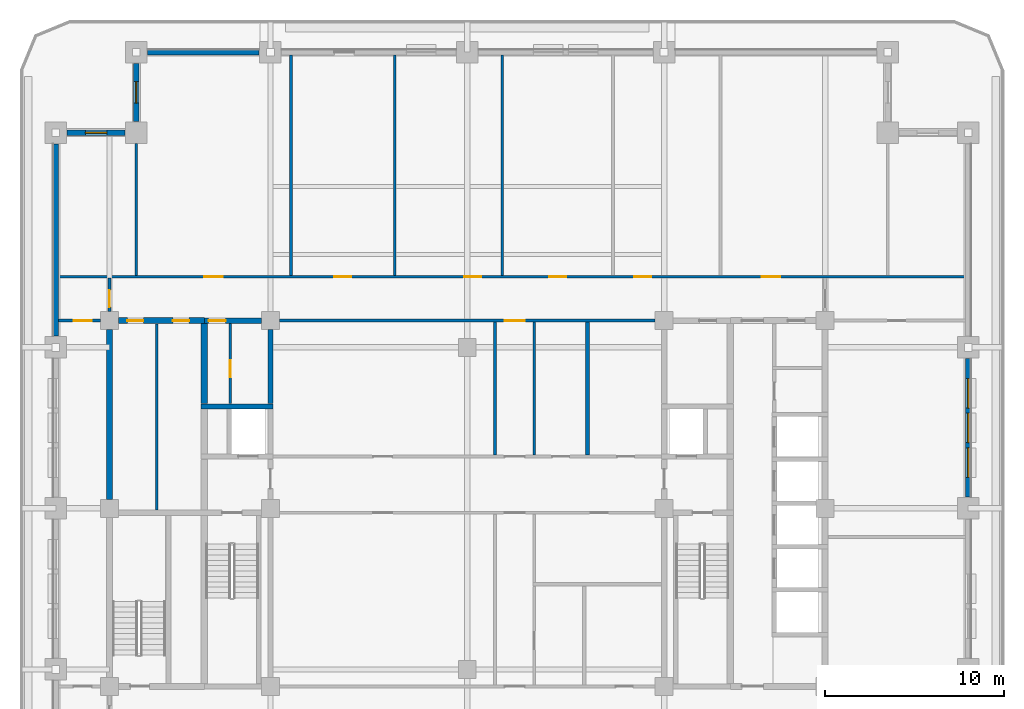
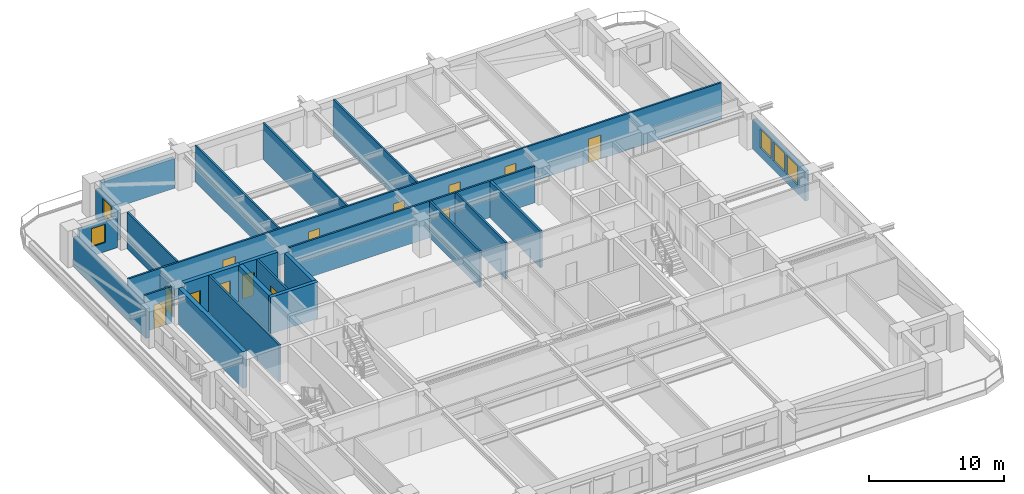
# One storey, part 5 of 14: 24 walls, 13 doors, 5 windows, 18 openings.
"""IFC4 building model written with IfcOpenShell, lengths in metres."""

from ifc_helpers import new_model, si_unit, direction, frame, frame_2d, origin, place, context, subcontext, project, spatial, rectangle, extrude, material, layer, layer_set, type_object, element, fill, save


model = new_model("IFC4")

# Units and contexts
model_context = context("Model", 3, precision=1e-05, world=origin(), true_north=direction((0.0, 1.0)))
body_context = subcontext(model_context, "Body", "Model", "MODEL_VIEW")
ifc_project = project(units=[si_unit("LENGTHUNIT", "METRE"), si_unit("AREAUNIT", "SQUARE_METRE"), si_unit("VOLUMEUNIT", "CUBIC_METRE"), si_unit("PLANEANGLEUNIT", "RADIAN"), si_unit("MASSUNIT", "GRAM", prefix="KILO")], contexts=[model_context])

# Site, building, storey
site_placement = place(None, origin())
site = spatial("IfcSite", under=ifc_project, at=site_placement, CompositionType="ELEMENT")
building_placement = place(site_placement, origin())
building = spatial("IfcBuilding", under=site, at=building_placement, Name="Zulmaris Gate Convention Tower", CompositionType="ELEMENT")
storey_placement = place(building_placement, frame((0.0, 0.0, 94.929931640625)))
storey = spatial("IfcBuildingStorey", under=building, at=storey_placement, Name="L23", CompositionType="ELEMENT", Elevation=94.929931640625)

# Wall
ifc_material_1 = material(Name="Concrete C50/60", Category="concrete")
ifc_layer_1 = layer(ifc_material_1, 0.300048828125, Name="Concrete C50/60")
ifc_layer_set_1 = layer_set([ifc_layer_1], Name="Concrete C50/60")
wall_type_1 = type_object("IfcWallType", Name="CORE-300", PredefinedType="SHEAR", material=ifc_layer_set_1)
wall_1_placement = place(storey_placement, frame((-14.875, 5.699951171875, 0.0), z_axis=(0.0, 0.0, 1.0), x_axis=(1.0, 0.0, 0.0)))
element("IfcWall", 1, at=wall_1_placement, inside=storey, type_object=wall_type_1, Name="WL-L23-015", PredefinedType="SHEAR", context=body_context, shape_type="SweptSolid", body=[
    extrude(rectangle(XDim=4.02490234375, YDim=0.300048828125, at=frame_2d((2.012451171875, 0.0))), origin(), (0.0, 0.0, 1.0), 3.295166015625),
])

# Wall, opening, door
wall_2_placement = place(storey_placement, frame((-14.699951171875, 10.5, 0.0), z_axis=(0.0, 0.0, 1.0), x_axis=(1.0, 0.0, 0.0)))
wall_2 = element("IfcWall", 2, at=wall_2_placement, inside=storey, type_object=wall_type_1, Name="WL-L23-018", PredefinedType="SHEAR", context=body_context, shape_type="SweptSolid", body=[
    extrude(rectangle(XDim=3.196044921875, YDim=0.300048828125, at=frame_2d((1.59814453125, 0.0))), origin(), (0.0, 0.0, 1.0), 3.295166015625),
])
opening_1_placement = place(wall_2_placement, frame((0.2451171875, 0.0, 0.0)))
opening_1 = element("IfcOpeningElement", 3, at=opening_1_placement, cuts=wall_2, Name="Opening D-11", PredefinedType="OPENING", context=body_context, shape_type="SweptSolid", body=[
    extrude(rectangle(XDim=0.949951171875, YDim=2.14990234375, at=frame_2d((0.47509765625, 1.074951171875))), frame((0.0, 0.16015625, 0.0), z_axis=(0.0, -1.0, 0.0), x_axis=(1.0, 0.0, 0.0)), (0.0, 0.0, 1.0), 0.320068359375),
])
ifc_material_2 = material(Name="Fire-Rated Timber", Category="wood")
door_type_1 = type_object("IfcDoorType", Name="DR-950-FD", OperationType="NOTDEFINED", PredefinedType="DOOR", material=ifc_material_2)
door_1_placement = place(opening_1_placement, origin())
door_1 = element("IfcDoor", 4, at=door_1_placement, inside=storey, type_object=door_type_1, Name="L23 Core Mail Room Door 07", OperationType="SINGLE_SWING_RIGHT", OverallHeight=2.14990234375, OverallWidth=0.949951171875, PredefinedType="DOOR", context=body_context, shape_type="SweptSolid", body=[
    extrude(rectangle(XDim=0.949951171875, YDim=2.14990234375, at=frame_2d((0.47509765625, 1.074951171875))), frame((0.0, 0.02490234375, 0.0), z_axis=(0.0, -1.0, 0.0), x_axis=(1.0, 0.0, 0.0)), (0.0, 0.0, 1.0), 0.050048828125),
])
fill(opening_1, door_1)

# Wall
wall_3_placement = place(storey_placement, frame((-11.0, 5.85205078125, 0.0), z_axis=(0.0, 0.0, 1.0), x_axis=(0.0, 1.0, 0.0)))
element("IfcWall", 5, at=wall_3_placement, inside=storey, type_object=wall_type_1, Name="WL-L23-046", PredefinedType="SHEAR", context=body_context, shape_type="SweptSolid", body=[
    extrude(rectangle(XDim=4.14404296875, YDim=0.300048828125, at=frame_2d((2.072021484375, 0.0))), origin(), (0.0, 0.0, 1.0), 3.295166015625),
])

# Wall, openings, doors
ifc_material_3 = material(Name="Concrete C55/67", Category="concrete")
ifc_layer_2 = layer(ifc_material_3, 0.35009765625, Name="Concrete C55/67")
ifc_layer_set_2 = layer_set([ifc_layer_2], Name="Concrete C55/67")
wall_type_2 = type_object("IfcWallType", Name="CORE-350", PredefinedType="SHEAR", material=ifc_layer_set_2)
wall_4_placement = place(storey_placement, frame((-19.49609375, 10.5, 0.0), z_axis=(0.0, 0.0, 1.0), x_axis=(1.0, 0.0, 0.0)))
wall_4 = element("IfcWall", 6, at=wall_4_placement, inside=storey, type_object=wall_type_2, Name="WL-L23-017", PredefinedType="SHEAR", context=body_context, shape_type="SweptSolid", body=[
    extrude(rectangle(XDim=4.796142578125, YDim=0.35009765625, at=frame_2d((2.39794921875, 0.0))), origin(), (0.0, 0.0, 1.0), 3.295166015625),
])
opening_2_placement = place(wall_4_placement, frame((0.49609375, 0.0, 0.0)))
opening_2 = element("IfcOpeningElement", 7, at=opening_2_placement, cuts=wall_4, Name="Opening D-12", PredefinedType="OPENING", context=body_context, shape_type="SweptSolid", body=[
    extrude(rectangle(XDim=0.89990234375, YDim=2.14990234375, at=frame_2d((0.449951171875, 1.074951171875))), frame((0.0, 0.18505859375, 0.0), z_axis=(0.0, -1.0, 0.0), x_axis=(1.0, 0.0, 0.0)), (0.0, 0.0, 1.0), 0.3701171875),
])
opening_3_placement = place(wall_4_placement, frame((3.0458984375, 0.0, 0.0)))
opening_3 = element("IfcOpeningElement", 8, at=opening_3_placement, cuts=wall_4, Name="Opening D-12", PredefinedType="OPENING", context=body_context, shape_type="SweptSolid", body=[
    extrude(rectangle(XDim=0.89990234375, YDim=2.14990234375, at=frame_2d((0.449951171875, 1.074951171875))), frame((0.0, 0.18505859375, 0.0), z_axis=(0.0, -1.0, 0.0), x_axis=(1.0, 0.0, 0.0)), (0.0, 0.0, 1.0), 0.3701171875),
])
door_type_2 = type_object("IfcDoorType", Name="DR-900-FD", OperationType="NOTDEFINED", PredefinedType="DOOR", material=ifc_material_2)
door_2_placement = place(opening_2_placement, origin())
door_2 = element("IfcDoor", 9, at=door_2_placement, inside=storey, type_object=door_type_2, Name="L23 Server Room Door 11", OperationType="SINGLE_SWING_RIGHT", OverallHeight=2.14990234375, OverallWidth=0.89990234375, PredefinedType="DOOR", context=body_context, shape_type="SweptSolid", body=[
    extrude(rectangle(XDim=0.89990234375, YDim=2.14990234375, at=frame_2d((0.449951171875, 1.074951171875))), frame((0.0, 0.02490234375, 0.0), z_axis=(0.0, -1.0, 0.0), x_axis=(1.0, 0.0, 0.0)), (0.0, 0.0, 1.0), 0.050048828125),
])
fill(opening_2, door_2)
door_3_placement = place(opening_3_placement, origin())
door_3 = element("IfcDoor", 10, at=door_3_placement, inside=storey, type_object=door_type_2, Name="L23 Reclaimed Pantry Door 12", OperationType="SINGLE_SWING_LEFT", OverallHeight=2.14990234375, OverallWidth=0.89990234375, PredefinedType="DOOR", context=body_context, shape_type="SweptSolid", body=[
    extrude(rectangle(XDim=0.89990234375, YDim=2.14990234375, at=frame_2d((0.449951171875, 1.074951171875))), frame((0.0, 0.02490234375, 0.0), z_axis=(0.0, -1.0, 0.0), x_axis=(1.0, 0.0, 0.0)), (0.0, 0.0, 1.0), 0.050048828125),
])
fill(opening_3, door_3)

# Walls
wall_5_placement = place(storey_placement, frame((-20.0, 0.50390625, 0.0), z_axis=(0.0, 0.0, 1.0), x_axis=(0.0, 1.0, 0.0)))
element("IfcWall", 11, at=wall_5_placement, inside=storey, type_object=wall_type_2, Name="WL-L23-035", PredefinedType="SHEAR", context=body_context, shape_type="SweptSolid", body=[
    extrude(rectangle(XDim=9.4921875, YDim=0.35009765625, at=frame_2d((4.74609375, 0.0))), origin(), (0.0, 0.0, 1.0), 3.295166015625),
])
wall_6_placement = place(storey_placement, frame((-14.699951171875, 5.85205078125, 0.0), z_axis=(0.0, 0.0, 1.0), x_axis=(0.0, 1.0, 0.0)))
element("IfcWall", 12, at=wall_6_placement, inside=storey, type_object=wall_type_2, Name="WL-L23-040", PredefinedType="SHEAR", context=body_context, shape_type="SweptSolid", body=[
    extrude(rectangle(XDim=4.470947265625, YDim=0.35009765625, at=frame_2d((2.2353515625, 0.0))), origin(), (0.0, 0.0, 1.0), 3.295166015625),
])

# Wall, opening, door
ifc_material_4 = material(Name="Gypsum Metal Stud Partition")
ifc_layer_3 = layer(ifc_material_4, 0.14990234375, Name="Gypsum Metal Stud Partition")
ifc_layer_set_3 = layer_set([ifc_layer_3], Name="Gypsum Metal Stud Partition")
wall_type_3 = type_object("IfcWallType", Name="PART-150", PredefinedType="PARTITIONING", material=ifc_layer_set_3)
wall_7_placement = place(storey_placement, frame((-22.8349609375, 10.5, 0.0), z_axis=(0.0, 0.0, 1.0), x_axis=(1.0, 0.0, 0.0)))
wall_7 = element("IfcWall", 13, at=wall_7_placement, inside=storey, type_object=wall_type_3, Name="WL-L23-030", PredefinedType="PARTITIONING", context=body_context, shape_type="SweptSolid", body=[
    extrude(rectangle(XDim=2.328857421875, YDim=0.14990234375, at=frame_2d((1.16455078125, 0.0))), origin(), (0.0, 0.0, 1.0), 3.295166015625),
])
opening_4_placement = place(wall_7_placement, frame((0.8349609375, 0.0, 0.0)))
opening_4 = element("IfcOpeningElement", 14, at=opening_4_placement, cuts=wall_7, Name="Opening D-10", PredefinedType="OPENING", context=body_context, shape_type="SweptSolid", body=[
    extrude(rectangle(XDim=1.0, YDim=2.14990234375, at=frame_2d((0.5, 1.074951171875))), frame((0.0, 0.0849609375, 0.0), z_axis=(0.0, -1.0, 0.0), x_axis=(1.0, 0.0, 0.0)), (0.0, 0.0, 1.0), 0.169921875),
])
door_type_3 = type_object("IfcDoorType", Name="DR-1000-FD", OperationType="NOTDEFINED", PredefinedType="DOOR", material=ifc_material_2)
door_4_placement = place(opening_4_placement, origin())
door_4 = element("IfcDoor", 15, at=door_4_placement, inside=storey, type_object=door_type_3, Name="L23 West Workplace North Door 43", OperationType="SINGLE_SWING_RIGHT", OverallHeight=2.14990234375, OverallWidth=1.0, PredefinedType="DOOR", context=body_context, shape_type="SweptSolid", body=[
    extrude(rectangle(XDim=1.0, YDim=2.14990234375, at=frame_2d((0.5, 1.074951171875))), frame((0.0, 0.02490234375, 0.0), z_axis=(0.0, -1.0, 0.0), x_axis=(1.0, 0.0, 0.0)), (0.0, 0.0, 1.0), 0.050048828125),
])
fill(opening_4, door_4)

wall_8_placement = place(storey_placement, frame((-10.493896484375, 10.5, 0.0), z_axis=(0.0, 0.0, 1.0), x_axis=(1.0, 0.0, 0.0)))
wall_8 = element("IfcWall", 16, at=wall_8_placement, inside=storey, type_object=wall_type_3, Name="WL-L23-031", PredefinedType="PARTITIONING", context=body_context, shape_type="SweptSolid", body=[
    extrude(rectangle(XDim=20.98779296875, YDim=0.14990234375, at=frame_2d((10.493896484375, 0.0))), origin(), (0.0, 0.0, 1.0), 3.295166015625),
])
opening_5_placement = place(wall_8_placement, frame((12.593994140625, 0.0, 0.0)))
opening_5 = element("IfcOpeningElement", 17, at=opening_5_placement, cuts=wall_8, Name="Opening D-08", PredefinedType="OPENING", context=body_context, shape_type="SweptSolid", body=[
    extrude(rectangle(XDim=1.10009765625, YDim=2.14990234375, at=frame_2d((0.550048828125, 1.074951171875))), frame((0.0, 0.0849609375, 0.0), z_axis=(0.0, -1.0, 0.0), x_axis=(1.0, 0.0, 0.0)), (0.0, 0.0, 1.0), 0.169921875),
])
ifc_material_5 = material(Name="Fire-Rated Steel", Category="steel")
door_type_4 = type_object("IfcDoorType", Name="DR-1100-FD", OperationType="NOTDEFINED", PredefinedType="DOOR", material=ifc_material_5)
door_5_placement = place(opening_5_placement, origin())
door_5 = element("IfcDoor", 18, at=door_5_placement, inside=storey, type_object=door_type_4, Name="L23 North Gallery Link Door 21", OperationType="SINGLE_SWING_RIGHT", OverallHeight=2.14990234375, OverallWidth=1.10009765625, PredefinedType="DOOR", context=body_context, shape_type="SweptSolid", body=[
    extrude(rectangle(XDim=1.10009765625, YDim=2.14990234375, at=frame_2d((0.550048828125, 1.074951171875))), frame((0.0, 0.02490234375, 0.0), z_axis=(0.0, -1.0, 0.0), x_axis=(1.0, 0.0, 0.0)), (0.0, 0.0, 1.0), 0.050048828125),
])
fill(opening_5, door_5)

# Wall, openings, doors
wall_9_placement = place(storey_placement, frame((-22.8349609375, 12.949951171875, 0.0), z_axis=(0.0, 0.0, 1.0), x_axis=(1.0, 0.0, 0.0)))
wall_9 = element("IfcWall", 19, at=wall_9_placement, inside=storey, type_object=wall_type_3, Name="WL-L23-033", PredefinedType="PARTITIONING", context=body_context, shape_type="SweptSolid", body=[
    extrude(rectangle(XDim=50.669921875, YDim=0.14990234375, at=frame_2d((25.3349609375, 0.0))), origin(), (0.0, 0.0, 1.0), 3.295166015625),
])
opening_6_placement = place(wall_9_placement, frame((8.1298828125, 0.0, 0.0)))
opening_6 = element("IfcOpeningElement", 20, at=opening_6_placement, cuts=wall_9, Name="Opening D-09", PredefinedType="OPENING", context=body_context, shape_type="SweptSolid", body=[
    extrude(rectangle(XDim=1.050048828125, YDim=2.14990234375, at=frame_2d((0.52490234375, 1.074951171875))), frame((0.0, 0.0849609375, 0.0), z_axis=(0.0, -1.0, 0.0), x_axis=(1.0, 0.0, 0.0)), (0.0, 0.0, 1.0), 0.169921875),
])
opening_7_placement = place(wall_9_placement, frame((15.409912109375, 0.0, 0.0)))
opening_7 = element("IfcOpeningElement", 21, at=opening_7_placement, cuts=wall_9, Name="Opening D-11", PredefinedType="OPENING", context=body_context, shape_type="SweptSolid", body=[
    extrude(rectangle(XDim=0.949951171875, YDim=2.14990234375, at=frame_2d((0.47509765625, 1.074951171875))), frame((0.0, 0.0849609375, 0.0), z_axis=(0.0, -1.0, 0.0), x_axis=(1.0, 0.0, 0.0)), (0.0, 0.0, 1.0), 0.169921875),
])
opening_8_placement = place(wall_9_placement, frame((22.659912109375, 0.0, 0.0)))
opening_8 = element("IfcOpeningElement", 22, at=opening_8_placement, cuts=wall_9, Name="Opening D-11", PredefinedType="OPENING", context=body_context, shape_type="SweptSolid", body=[
    extrude(rectangle(XDim=0.949951171875, YDim=2.14990234375, at=frame_2d((0.47509765625, 1.074951171875))), frame((0.0, 0.0849609375, 0.0), z_axis=(0.0, -1.0, 0.0), x_axis=(1.0, 0.0, 0.0)), (0.0, 0.0, 1.0), 0.169921875),
])
opening_9_placement = place(wall_9_placement, frame((27.409912109375, 0.0, 0.0)))
opening_9 = element("IfcOpeningElement", 23, at=opening_9_placement, cuts=wall_9, Name="Opening D-11", PredefinedType="OPENING", context=body_context, shape_type="SweptSolid", body=[
    extrude(rectangle(XDim=0.949951171875, YDim=2.14990234375, at=frame_2d((0.47509765625, 1.074951171875))), frame((0.0, 0.0849609375, 0.0), z_axis=(0.0, -1.0, 0.0), x_axis=(1.0, 0.0, 0.0)), (0.0, 0.0, 1.0), 0.169921875),
])
opening_10_placement = place(wall_9_placement, frame((32.159912109375, 0.0, 0.0)))
opening_10 = element("IfcOpeningElement", 24, at=opening_10_placement, cuts=wall_9, Name="Opening D-11", PredefinedType="OPENING", context=body_context, shape_type="SweptSolid", body=[
    extrude(rectangle(XDim=0.949951171875, YDim=2.14990234375, at=frame_2d((0.47509765625, 1.074951171875))), frame((0.0, 0.0849609375, 0.0), z_axis=(0.0, -1.0, 0.0), x_axis=(1.0, 0.0, 0.0)), (0.0, 0.0, 1.0), 0.169921875),
])
opening_11_placement = place(wall_9_placement, frame((39.2900390625, 0.0, 0.0)))
opening_11 = element("IfcOpeningElement", 25, at=opening_11_placement, cuts=wall_9, Name="Opening D-09", PredefinedType="OPENING", context=body_context, shape_type="SweptSolid", body=[
    extrude(rectangle(XDim=1.050048828125, YDim=2.14990234375, at=frame_2d((0.52490234375, 1.074951171875))), frame((0.0, 0.0849609375, 0.0), z_axis=(0.0, -1.0, 0.0), x_axis=(1.0, 0.0, 0.0)), (0.0, 0.0, 1.0), 0.169921875),
])
door_type_5 = type_object("IfcDoorType", Name="DR-1050-FD", OperationType="NOTDEFINED", PredefinedType="DOOR", material=ifc_material_5)
door_6_placement = place(opening_6_placement, origin())
door_6 = element("IfcDoor", 26, at=door_6_placement, inside=storey, type_object=door_type_5, Name="L23 Executive Boardroom Door 25", OperationType="SINGLE_SWING_RIGHT", OverallHeight=2.14990234375, OverallWidth=1.050048828125, PredefinedType="DOOR", context=body_context, shape_type="SweptSolid", body=[
    extrude(rectangle(XDim=1.050048828125, YDim=2.14990234375, at=frame_2d((0.52490234375, 1.074951171875))), frame((0.0, 0.02490234375, 0.0), z_axis=(0.0, -1.0, 0.0), x_axis=(1.0, 0.0, 0.0)), (0.0, 0.0, 1.0), 0.050048828125),
])
fill(opening_6, door_6)
door_7_placement = place(opening_11_placement, origin())
door_7 = element("IfcDoor", 27, at=door_7_placement, inside=storey, type_object=door_type_5, Name="L23 Corporate Strategy Office Door 30", OperationType="SINGLE_SWING_LEFT", OverallHeight=2.14990234375, OverallWidth=1.050048828125, PredefinedType="DOOR", context=body_context, shape_type="SweptSolid", body=[
    extrude(rectangle(XDim=1.050048828125, YDim=2.14990234375, at=frame_2d((0.52490234375, 1.074951171875))), frame((0.0, 0.02490234375, 0.0), z_axis=(0.0, -1.0, 0.0), x_axis=(1.0, 0.0, 0.0)), (0.0, 0.0, 1.0), 0.050048828125),
])
fill(opening_11, door_7)
door_8_placement = place(opening_7_placement, origin())
door_8 = element("IfcDoor", 28, at=door_8_placement, inside=storey, type_object=door_type_1, Name="L23 Corporate Strategy Office Door 26", OperationType="SINGLE_SWING_LEFT", OverallHeight=2.14990234375, OverallWidth=0.949951171875, PredefinedType="DOOR", context=body_context, shape_type="SweptSolid", body=[
    extrude(rectangle(XDim=0.949951171875, YDim=2.14990234375, at=frame_2d((0.47509765625, 1.074951171875))), frame((0.0, 0.02490234375, 0.0), z_axis=(0.0, -1.0, 0.0), x_axis=(1.0, 0.0, 0.0)), (0.0, 0.0, 1.0), 0.050048828125),
])
fill(opening_7, door_8)
door_9_placement = place(opening_8_placement, origin())
door_9 = element("IfcDoor", 29, at=door_9_placement, inside=storey, type_object=door_type_1, Name="L23 Project Advisory Studio Door 27", OperationType="SINGLE_SWING_RIGHT", OverallHeight=2.14990234375, OverallWidth=0.949951171875, PredefinedType="DOOR", context=body_context, shape_type="SweptSolid", body=[
    extrude(rectangle(XDim=0.949951171875, YDim=2.14990234375, at=frame_2d((0.47509765625, 1.074951171875))), frame((0.0, 0.02490234375, 0.0), z_axis=(0.0, -1.0, 0.0), x_axis=(1.0, 0.0, 0.0)), (0.0, 0.0, 1.0), 0.050048828125),
])
fill(opening_8, door_9)
door_10_placement = place(opening_9_placement, origin())
door_10 = element("IfcDoor", 30, at=door_10_placement, inside=storey, type_object=door_type_1, Name="L23 Policy Research Study Door 28", OperationType="SINGLE_SWING_LEFT", OverallHeight=2.14990234375, OverallWidth=0.949951171875, PredefinedType="DOOR", context=body_context, shape_type="SweptSolid", body=[
    extrude(rectangle(XDim=0.949951171875, YDim=2.14990234375, at=frame_2d((0.47509765625, 1.074951171875))), frame((0.0, 0.02490234375, 0.0), z_axis=(0.0, -1.0, 0.0), x_axis=(1.0, 0.0, 0.0)), (0.0, 0.0, 1.0), 0.050048828125),
])
fill(opening_9, door_10)
door_11_placement = place(opening_10_placement, origin())
door_11 = element("IfcDoor", 31, at=door_11_placement, inside=storey, type_object=door_type_1, Name="L23 Executive Boardroom Door 29", OperationType="SINGLE_SWING_RIGHT", OverallHeight=2.14990234375, OverallWidth=0.949951171875, PredefinedType="DOOR", context=body_context, shape_type="SweptSolid", body=[
    extrude(rectangle(XDim=0.949951171875, YDim=2.14990234375, at=frame_2d((0.47509765625, 1.074951171875))), frame((0.0, 0.02490234375, 0.0), z_axis=(0.0, -1.0, 0.0), x_axis=(1.0, 0.0, 0.0)), (0.0, 0.0, 1.0), 0.050048828125),
])
fill(opening_10, door_11)

# Wall, opening, door
wall_10_placement = place(storey_placement, frame((-20.0, 11.006103515625, 0.0), z_axis=(0.0, 0.0, 1.0), x_axis=(0.0, 1.0, 0.0)))
wall_10 = element("IfcWall", 32, at=wall_10_placement, inside=storey, type_object=wall_type_3, Name="WL-L23-070", PredefinedType="PARTITIONING", context=body_context, shape_type="SweptSolid", body=[
    extrude(rectangle(XDim=1.865966796875, YDim=0.14990234375, at=frame_2d((0.93310546875, 0.0))), origin(), (0.0, 0.0, 1.0), 2.78515625),
])
opening_12_placement = place(wall_10_placement, frame((0.239013671875, 0.0, 0.0)))
opening_12 = element("IfcOpeningElement", 33, at=opening_12_placement, cuts=wall_10, Name="Opening D-11", PredefinedType="OPENING", context=body_context, shape_type="SweptSolid", body=[
    extrude(rectangle(XDim=0.949951171875, YDim=2.14990234375, at=frame_2d((0.47509765625, 1.074951171875))), frame((0.0, 0.0849609375, 0.0), z_axis=(0.0, -1.0, 0.0), x_axis=(1.0, 0.0, 0.0)), (0.0, 0.0, 1.0), 0.169921875),
])
door_12_placement = place(opening_12_placement, origin())
door_12 = element("IfcDoor", 34, at=door_12_placement, inside=storey, type_object=door_type_1, Name="L23 NW Spur Door 41", OperationType="SINGLE_SWING_RIGHT", OverallHeight=2.14990234375, OverallWidth=0.949951171875, PredefinedType="DOOR", context=body_context, shape_type="SweptSolid", body=[
    extrude(rectangle(XDim=0.949951171875, YDim=2.14990234375, at=frame_2d((0.47509765625, 1.074951171875))), frame((0.0, 0.02490234375, 0.0), z_axis=(0.0, -1.0, 0.0), x_axis=(1.0, 0.0, 0.0)), (0.0, 0.0, 1.0), 0.050048828125),
])
fill(opening_12, door_12)

# Walls
wall_11_placement = place(storey_placement, frame((-18.5, 13.028076171875, 0.0), z_axis=(0.0, 0.0, 1.0), x_axis=(0.0, 1.0, 0.0)))
element("IfcWall", 35, at=wall_11_placement, inside=storey, type_object=wall_type_3, Name="WL-L23-072", PredefinedType="PARTITIONING", context=body_context, shape_type="SweptSolid", body=[
    extrude(rectangle(XDim=7.365966796875, YDim=0.14990234375, at=frame_2d((3.68310546875, 0.0))), origin(), (0.0, 0.0, 1.0), 3.295166015625),
])
wall_12_placement = place(storey_placement, frame((-17.35009765625, -0.096923828125, 0.0), z_axis=(0.0, 0.0, 1.0), x_axis=(0.0, 1.0, 0.0)))
element("IfcWall", 36, at=wall_12_placement, inside=storey, type_object=wall_type_3, Name="WL-L23-073", PredefinedType="PARTITIONING", context=body_context, shape_type="SweptSolid", body=[
    extrude(rectangle(XDim=10.4189453125, YDim=0.14990234375, at=frame_2d((5.20947265625, 0.0))), origin(), (0.0, 0.0, 1.0), 3.295166015625),
])

# Wall, opening, door
wall_13_placement = place(storey_placement, frame((-13.25, 5.85302734375, 0.0), z_axis=(0.0, 0.0, 1.0), x_axis=(0.0, 1.0, 0.0)))
wall_13 = element("IfcWall", 37, at=wall_13_placement, inside=storey, type_object=wall_type_3, Name="WL-L23-074", PredefinedType="PARTITIONING", context=body_context, shape_type="SweptSolid", body=[
    extrude(rectangle(XDim=4.493896484375, YDim=0.14990234375, at=frame_2d((2.2470703125, 0.0))), origin(), (0.0, 0.0, 1.0), 3.295166015625),
])
opening_13_placement = place(wall_13_placement, frame((1.471923828125, 0.0, 0.0)))
opening_13 = element("IfcOpeningElement", 38, at=opening_13_placement, cuts=wall_13, Name="Opening D-11", PredefinedType="OPENING", context=body_context, shape_type="SweptSolid", body=[
    extrude(rectangle(XDim=0.949951171875, YDim=2.14990234375, at=frame_2d((0.47509765625, 1.074951171875))), frame((0.0, 0.0849609375, 0.0), z_axis=(0.0, -1.0, 0.0), x_axis=(1.0, 0.0, 0.0)), (0.0, 0.0, 1.0), 0.169921875),
])
door_13_placement = place(opening_13_placement, origin())
door_13 = element("IfcDoor", 39, at=door_13_placement, inside=storey, type_object=door_type_1, Name="L23 Core Janitor Door 08", OperationType="SINGLE_SWING_LEFT", OverallHeight=2.14990234375, OverallWidth=0.949951171875, PredefinedType="DOOR", context=body_context, shape_type="SweptSolid", body=[
    extrude(rectangle(XDim=0.949951171875, YDim=2.14990234375, at=frame_2d((0.47509765625, 1.074951171875))), frame((0.0, 0.02490234375, 0.0), z_axis=(0.0, -1.0, 0.0), x_axis=(1.0, 0.0, 0.0)), (0.0, 0.0, 1.0), 0.050048828125),
])
fill(opening_13, door_13)

# Walls
for number, where, z_axis, x_axis, name in (
    (40, (-9.85009765625, 13.028076171875, 0.0), (0.0, 0.0, 1.0), (0.0, 1.0, 0.0), "WL-L23-075"),
    (41, (-4.050048828125, 13.028076171875, 0.0), (0.0, 0.0, 1.0), (0.0, 1.0, 0.0), "WL-L23-077"),
):
    element("IfcWall", number, at=place(storey_placement, frame(where, z_axis=z_axis, x_axis=x_axis)), inside=storey, type_object=wall_type_3, Name=name, PredefinedType="PARTITIONING", context=body_context, shape_type="SweptSolid", body=[
        extrude(rectangle(XDim=12.306884765625, YDim=0.14990234375, at=frame_2d((6.1533203125, 0.0))), origin(), (0.0, 0.0, 1.0), 3.295166015625),
    ])
wall_14_placement = place(storey_placement, frame((1.550048828125, 2.97802734375, 0.0), z_axis=(0.0, 0.0, 1.0), x_axis=(0.0, 1.0, 0.0)))
element("IfcWall", 42, at=wall_14_placement, inside=storey, type_object=wall_type_3, Name="WL-L23-079", PredefinedType="PARTITIONING", context=body_context, shape_type="SweptSolid", body=[
    extrude(rectangle(XDim=7.444091796875, YDim=0.14990234375, at=frame_2d((3.72216796875, 0.0))), origin(), (0.0, 0.0, 1.0), 3.295166015625),
])
wall_15_placement = place(storey_placement, frame((1.949951171875, 13.028076171875, 0.0), z_axis=(0.0, 0.0, 1.0), x_axis=(0.0, 1.0, 0.0)))
element("IfcWall", 43, at=wall_15_placement, inside=storey, type_object=wall_type_3, Name="WL-L23-080", PredefinedType="PARTITIONING", context=body_context, shape_type="SweptSolid", body=[
    extrude(rectangle(XDim=12.306884765625, YDim=0.14990234375, at=frame_2d((6.1533203125, 0.0))), origin(), (0.0, 0.0, 1.0), 3.295166015625),
])
wall_16_placement = place(storey_placement, frame((3.75, 2.97802734375, 0.0), z_axis=(0.0, 0.0, 1.0), x_axis=(0.0, 1.0, 0.0)))
element("IfcWall", 44, at=wall_16_placement, inside=storey, type_object=wall_type_3, Name="WL-L23-083", PredefinedType="PARTITIONING", context=body_context, shape_type="SweptSolid", body=[
    extrude(rectangle(XDim=7.444091796875, YDim=0.14990234375, at=frame_2d((3.72216796875, 0.0))), origin(), (0.0, 0.0, 1.0), 3.295166015625),
])
ifc_material_6 = material(Name="Autoclaved Aerated Concrete Block and Plasterboard", Category="concrete")
ifc_layer_4 = layer(ifc_material_6, 0.199951171875, Name="Autoclaved Aerated Concrete Block and Plasterboard")
ifc_layer_set_4 = layer_set([ifc_layer_4], Name="Autoclaved Aerated Concrete Block and Plasterboard")
wall_type_4 = type_object("IfcWallType", Name="PART-200", PredefinedType="PARTITIONING", material=ifc_layer_set_4)
wall_17_placement = place(storey_placement, frame((6.719970703125, 2.97802734375, 0.0), z_axis=(0.0, 0.0, 1.0), x_axis=(0.0, 1.0, 0.0)))
element("IfcWall", 45, at=wall_17_placement, inside=storey, type_object=wall_type_4, Name="WL-L23-086", PredefinedType="PARTITIONING", context=body_context, shape_type="SweptSolid", body=[
    extrude(rectangle(XDim=7.444091796875, YDim=0.199951171875, at=frame_2d((3.72216796875, 0.0))), origin(), (0.0, 0.0, 1.0), 3.295166015625),
])

# Wall, opening, window
ifc_material_7 = material(Name="Precast concrete C40/50", Category="concrete")
ifc_layer_5 = layer(ifc_material_7, 0.300048828125, Name="Precast concrete C40/50")
ifc_layer_set_5 = layer_set([ifc_layer_5], Name="Precast concrete C40/50")
wall_type_5 = type_object("IfcWallType", Name="PRECAST-PIER-300", PredefinedType="STANDARD", material=ifc_layer_set_5)
wall_18_placement = place(storey_placement, frame((-18.5, 24.8701171875, 0.0), z_axis=(0.0, 0.0, 1.0), x_axis=(0.0, -1.0, 0.0)))
wall_18 = element("IfcWall", 46, at=wall_18_placement, inside=storey, type_object=wall_type_5, Name="EW-L23-NOTCH-NW1_0", PredefinedType="STANDARD", context=body_context, shape_type="SweptSolid", body=[
    extrude(rectangle(XDim=3.240234375, YDim=0.300048828125, at=frame_2d((1.6201171875, 0.0))), origin(), (0.0, 0.0, 1.0), 2.68701171875),
])
opening_14_placement = place(wall_18_placement, frame((1.02001953125, 0.0, 0.820068359375)))
opening_14 = element("IfcOpeningElement", 47, at=opening_14_placement, cuts=wall_18, Name="Opening W-04", PredefinedType="OPENING", context=body_context, shape_type="SweptSolid", body=[
    extrude(rectangle(XDim=1.199951171875, YDim=1.64990234375, at=frame_2d((0.60009765625, 0.824951171875))), frame((0.0, 0.16015625, 0.0), z_axis=(0.0, -1.0, 0.0), x_axis=(1.0, 0.0, 0.0)), (0.0, 0.0, 1.0), 0.320068359375),
])
ifc_material_8 = material(Name="Low-E Laminated Double Glazing in Aluminium Frame", Category="aluminium")
window_type_1 = type_object("IfcWindowType", Name="WIN-1200x2100", PartitioningType="SINGLE_PANEL", PredefinedType="WINDOW", material=ifc_material_8)
window_1_placement = place(opening_14_placement, origin())
window_1 = element("IfcWindow", 48, at=window_1_placement, inside=storey, type_object=window_type_1, Name="WN-EW-L23-NOTCH-NW1_0", OverallHeight=1.64990234375, OverallWidth=1.199951171875, PartitioningType="SINGLE_PANEL", PredefinedType="WINDOW", context=body_context, shape_type="SweptSolid", body=[
    extrude(rectangle(XDim=1.199951171875, YDim=1.64990234375, at=frame_2d((0.60009765625, 0.824951171875))), frame((0.0, 0.030029296875, 0.0), z_axis=(0.0, -1.0, 0.0), x_axis=(1.0, 0.0, 0.0)), (0.0, 0.0, 1.0), 0.06005859375),
])
fill(opening_14, window_1)

wall_19_placement = place(storey_placement, frame((-19.1298828125, 21.0, 0.0), z_axis=(0.0, 0.0, 1.0), x_axis=(-1.0, 0.0, 0.0)))
wall_19 = element("IfcWall", 49, at=wall_19_placement, inside=storey, type_object=wall_type_5, Name="EW-L23-NOTCH-NW2_0", PredefinedType="STANDARD", context=body_context, shape_type="SweptSolid", body=[
    extrude(rectangle(XDim=3.240234375, YDim=0.300048828125, at=frame_2d((1.6201171875, 0.0))), origin(), (0.0, 0.0, 1.0), 2.68701171875),
])
opening_15_placement = place(wall_19_placement, frame((1.02001953125, 0.0, 0.820068359375)))
opening_15 = element("IfcOpeningElement", 50, at=opening_15_placement, cuts=wall_19, Name="Opening W-04", PredefinedType="OPENING", context=body_context, shape_type="SweptSolid", body=[
    extrude(rectangle(XDim=1.199951171875, YDim=1.64990234375, at=frame_2d((0.60009765625, 0.824951171875))), frame((0.0, 0.16015625, 0.0), z_axis=(0.0, -1.0, 0.0), x_axis=(1.0, 0.0, 0.0)), (0.0, 0.0, 1.0), 0.320068359375),
])
window_2_placement = place(opening_15_placement, origin())
window_2 = element("IfcWindow", 51, at=window_2_placement, inside=storey, type_object=window_type_1, Name="WN-EW-L23-NOTCH-NW2_0", OverallHeight=1.64990234375, OverallWidth=1.199951171875, PartitioningType="SINGLE_PANEL", PredefinedType="WINDOW", context=body_context, shape_type="SweptSolid", body=[
    extrude(rectangle(XDim=1.199951171875, YDim=1.64990234375, at=frame_2d((0.60009765625, 0.824951171875))), frame((0.0, 0.030029296875, 0.0), z_axis=(0.0, -1.0, 0.0), x_axis=(1.0, 0.0, 0.0)), (0.0, 0.0, 1.0), 0.06005859375),
])
fill(opening_15, window_2)

# Wall
wall_20_placement = place(storey_placement, frame((-11.6298828125, 25.5, 0.0), z_axis=(0.0, 0.0, 1.0), x_axis=(-1.0, 0.0, 0.0)))
element("IfcWall", 52, at=wall_20_placement, inside=storey, type_object=wall_type_5, Name="EW-L23-N-0_0", PredefinedType="STANDARD", context=body_context, shape_type="SweptSolid", body=[
    extrude(rectangle(XDim=6.240234375, YDim=0.300048828125, at=frame_2d((3.1201171875, 0.0))), origin(), (0.0, 0.0, 1.0), 2.68701171875),
])

# Wall, openings, windows
wall_21_placement = place(storey_placement, frame((28.0, 0.6298828125, 0.0), z_axis=(0.0, 0.0, 1.0), x_axis=(0.0, 1.0, 0.0)))
wall_21 = element("IfcWall", 53, at=wall_21_placement, inside=storey, type_object=wall_type_5, Name="EW-L23-E-2_0", PredefinedType="STANDARD", context=body_context, shape_type="SweptSolid", body=[
    extrude(rectangle(XDim=7.740234375, YDim=0.300048828125, at=frame_2d((3.8701171875, 0.0))), origin(), (0.0, 0.0, 1.0), 2.68701171875),
])
opening_16_placement = place(wall_21_placement, frame((1.110107421875, 0.0, 0.800048828125)))
opening_16 = element("IfcOpeningElement", 54, at=opening_16_placement, cuts=wall_21, Name="Opening W-08", PredefinedType="OPENING", context=body_context, shape_type="SweptSolid", body=[
    extrude(rectangle(XDim=1.64990234375, YDim=1.699951171875, at=frame_2d((0.824951171875, 0.85009765625))), frame((0.0, 0.16015625, 0.0), z_axis=(0.0, -1.0, 0.0), x_axis=(1.0, 0.0, 0.0)), (0.0, 0.0, 1.0), 0.320068359375),
])
opening_17_placement = place(wall_21_placement, frame((3.044921875, 0.0, 0.800048828125)))
opening_17 = element("IfcOpeningElement", 55, at=opening_17_placement, cuts=wall_21, Name="Opening W-08", PredefinedType="OPENING", context=body_context, shape_type="SweptSolid", body=[
    extrude(rectangle(XDim=1.64990234375, YDim=1.699951171875, at=frame_2d((0.824951171875, 0.85009765625))), frame((0.0, 0.16015625, 0.0), z_axis=(0.0, -1.0, 0.0), x_axis=(1.0, 0.0, 0.0)), (0.0, 0.0, 1.0), 0.320068359375),
])
opening_18_placement = place(wall_21_placement, frame((4.97998046875, 0.0, 0.800048828125)))
opening_18 = element("IfcOpeningElement", 56, at=opening_18_placement, cuts=wall_21, Name="Opening W-08", PredefinedType="OPENING", context=body_context, shape_type="SweptSolid", body=[
    extrude(rectangle(XDim=1.64990234375, YDim=1.699951171875, at=frame_2d((0.824951171875, 0.85009765625))), frame((0.0, 0.16015625, 0.0), z_axis=(0.0, -1.0, 0.0), x_axis=(1.0, 0.0, 0.0)), (0.0, 0.0, 1.0), 0.320068359375),
])
window_type_2 = type_object("IfcWindowType", Name="WIN-1650x2150", PartitioningType="SINGLE_PANEL", PredefinedType="WINDOW", material=ifc_material_8)
window_3_placement = place(opening_16_placement, origin())
window_3 = element("IfcWindow", 57, at=window_3_placement, inside=storey, type_object=window_type_2, Name="WN-EW-L23-E-2_0-1", OverallHeight=1.699951171875, OverallWidth=1.64990234375, PartitioningType="SINGLE_PANEL", PredefinedType="WINDOW", context=body_context, shape_type="SweptSolid", body=[
    extrude(rectangle(XDim=1.64990234375, YDim=1.699951171875, at=frame_2d((0.824951171875, 0.85009765625))), frame((0.0, 0.030029296875, 0.0), z_axis=(0.0, -1.0, 0.0), x_axis=(1.0, 0.0, 0.0)), (0.0, 0.0, 1.0), 0.06005859375),
])
fill(opening_16, window_3)
window_4_placement = place(opening_17_placement, origin())
window_4 = element("IfcWindow", 58, at=window_4_placement, inside=storey, type_object=window_type_2, Name="WN-EW-L23-E-2_0-2", OverallHeight=1.699951171875, OverallWidth=1.64990234375, PartitioningType="SINGLE_PANEL", PredefinedType="WINDOW", context=body_context, shape_type="SweptSolid", body=[
    extrude(rectangle(XDim=1.64990234375, YDim=1.699951171875, at=frame_2d((0.824951171875, 0.85009765625))), frame((0.0, 0.030029296875, 0.0), z_axis=(0.0, -1.0, 0.0), x_axis=(1.0, 0.0, 0.0)), (0.0, 0.0, 1.0), 0.06005859375),
])
fill(opening_17, window_4)
window_5_placement = place(opening_18_placement, origin())
window_5 = element("IfcWindow", 59, at=window_5_placement, inside=storey, type_object=window_type_2, Name="WN-EW-L23-E-2_0-3", OverallHeight=1.699951171875, OverallWidth=1.64990234375, PartitioningType="SINGLE_PANEL", PredefinedType="WINDOW", context=body_context, shape_type="SweptSolid", body=[
    extrude(rectangle(XDim=1.64990234375, YDim=1.699951171875, at=frame_2d((0.824951171875, 0.85009765625))), frame((0.0, 0.030029296875, 0.0), z_axis=(0.0, -1.0, 0.0), x_axis=(1.0, 0.0, 0.0)), (0.0, 0.0, 1.0), 0.06005859375),
])
fill(opening_18, window_5)

# Wall
wall_22_placement = place(storey_placement, frame((-23.0, 20.3701171875, 0.0), z_axis=(0.0, 0.0, 1.0), x_axis=(0.0, -1.0, 0.0)))
element("IfcWall", 60, at=wall_22_placement, inside=storey, type_object=wall_type_5, Name="EW-L23-W-3_0", PredefinedType="STANDARD", context=body_context, shape_type="SweptSolid", body=[
    extrude(rectangle(XDim=10.740234375, YDim=0.300048828125, at=frame_2d((5.3701171875, 0.0))), origin(), (0.0, 0.0, 1.0), 2.68701171875),
])

save(model, "model.ifc")
